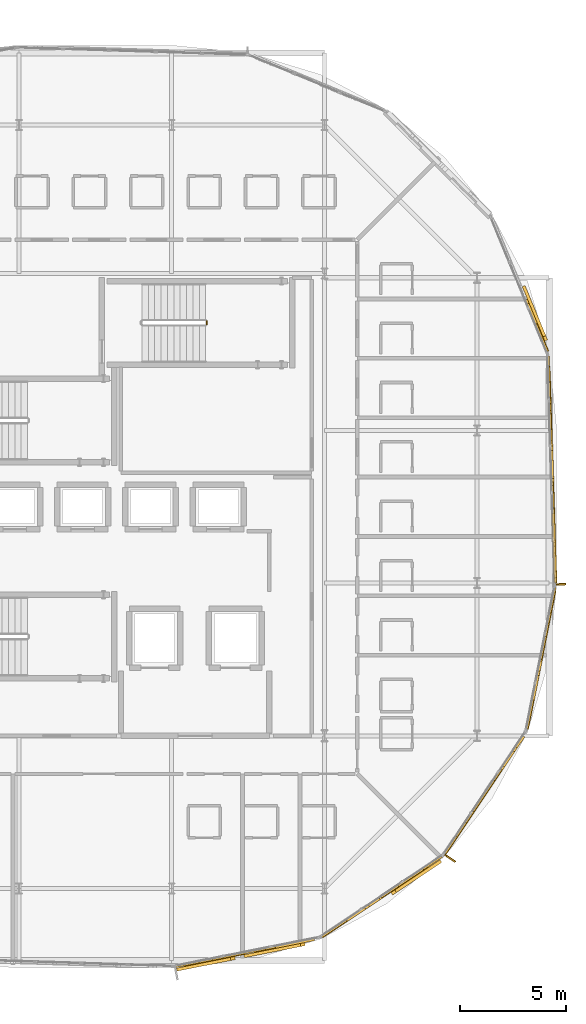
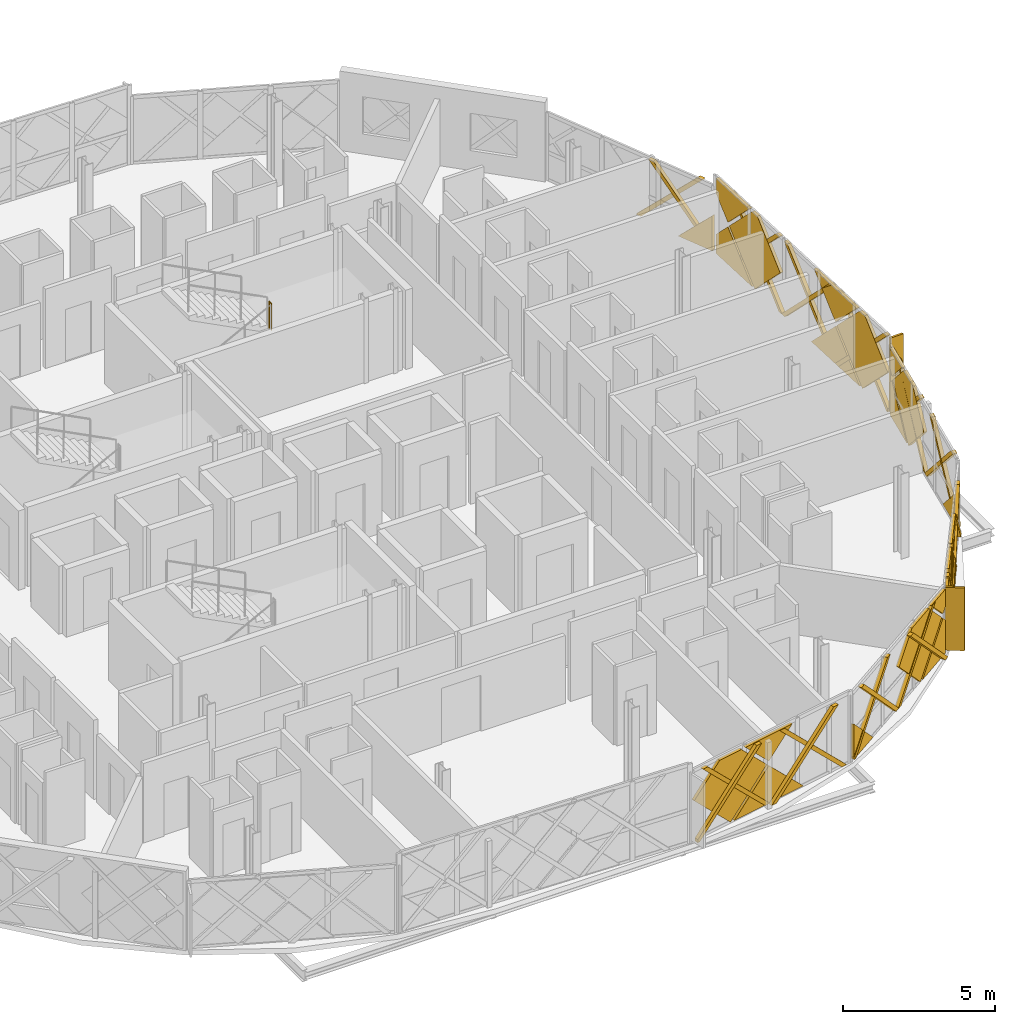
# One storey, part 24 of 26: 45 coverings, 2 shading devices, 1 railing.
"""IFC4 building model written with IfcOpenShell, lengths in metres."""

from ifc_helpers import new_model, si_unit, direction, frame, origin, origin_2d, place, context, subcontext, project, spatial, polyline, rectangle, circle, outline, extrude, material, layer, layer_set, type_object, element, save


model = new_model("IFC4")

# Units and contexts
model_context = context("Model", 3, precision=1e-05, world=origin(), true_north=direction((0.0, 1.0)))
body_context = subcontext(model_context, "Body", "Model", "MODEL_VIEW")
ifc_project = project(units=[si_unit("LENGTHUNIT", "METRE"), si_unit("AREAUNIT", "SQUARE_METRE"), si_unit("VOLUMEUNIT", "CUBIC_METRE"), si_unit("PLANEANGLEUNIT", "RADIAN"), si_unit("MASSUNIT", "GRAM", prefix="KILO")], contexts=[model_context])

# Site, building, storey
site_placement = place(None, origin())
site = spatial("IfcSite", under=ifc_project, at=site_placement, CompositionType="ELEMENT")
building_placement = place(site_placement, origin())
building = spatial("IfcBuilding", under=site, at=building_placement, Name="Zevrakil Square Congress Hotel", CompositionType="ELEMENT")
storey_placement = place(building_placement, frame((0.0, 0.0, 24.89990234375)))
storey = spatial("IfcBuildingStorey", under=building, at=storey_placement, Name="L07", CompositionType="ELEMENT", Elevation=24.89990234375)

# Coverings
ifc_material_1 = material(Name="Architectural White Fibre-C GRC", Category="concrete")
ifc_layer_1 = layer(ifc_material_1, 0.06494140625)
ifc_layer_set_1 = layer_set([ifc_layer_1], Name="Architectural White Fibre-C GRC")
covering_type_1 = type_object("IfcCoveringType", Name="COV-DIA-WHITE", PredefinedType="CLADDING", material=ifc_layer_set_1)
covering_1_placement = place(storey_placement, frame((152.21875, 6.503173828125, 1.590087890625), z_axis=(0.195074358725, -0.980788280172, 0.000586553491), x_axis=(0.693609627274, 0.137532945708, -0.707099974401)))
element("IfcCovering", 1, at=covering_1_placement, inside=storey, type_object=covering_type_1, Name="L07 45-degree white GRC diamond facade cassette 2628", PredefinedType="CLADDING", context=body_context, shape_type="SweptSolid", body=[
    extrude(outline(polyline([(0.0, 0.0), (2.135496846686384, 0.0), (6.252147105900718e-05, -2.1353939480228528), (0.0, 0.0)])), origin(), (0.0, 0.0, -1.0), 0.1201171875),
])
covering_2_placement = place(storey_placement, frame((152.130615234375, 6.485595703125, 1.68017578125), z_axis=(0.195073639184, -0.980788409663, 0.000608906099), x_axis=(-0.69342866757, -0.138358304273, -0.707116442059)))
element("IfcCovering", 2, at=covering_2_placement, inside=storey, type_object=covering_type_1, Name="L07 45-degree white GRC diamond facade cassette 2629", PredefinedType="CLADDING", context=body_context, shape_type="SweptSolid", body=[
    extrude(outline(polyline([(0.0, 0.0), (2.2486930582388895, -2.220446049250313e-16), (2.248600449306225, -2.2345065721660267), (2.2344443095970368, -2.248662319811673), (0.6718391091520807, -2.24871423814256), (5.325690210389311e-06, -1.5768618099349676), (0.0, 0.0)])), origin(), (0.0, 0.0, -1.0), 0.1201171875),
])
covering_3_placement = place(storey_placement, frame((152.21875, 6.50341796875, 1.77001953125), z_axis=(0.19506254921, -0.980790693095, 0.000467154414), x_axis=(-0.693527327031, -0.13759393545, 0.707168831036)))
element("IfcCovering", 3, at=covering_3_placement, inside=storey, type_object=covering_type_1, Name="L07 45-degree white GRC diamond facade cassette 2630", PredefinedType="CLADDING", context=body_context, shape_type="SweptSolid", body=[
    extrude(outline(polyline([(0.0, 0.0), (1.4496488524159823, 0.0), (0.00012006049772261829, -1.4497835391978415), (0.0, 0.0)])), origin(), (0.0, 0.0, -1.0), 0.1201171875),
])
covering_4_placement = place(storey_placement, frame((157.08447265625, 8.066650390625, 0.080078125), z_axis=(0.555618744269, -0.831436961663, 0.000624337381), x_axis=(-0.831437123709, -0.555618852558, 0.0)))
element("IfcCovering", 4, at=covering_4_placement, inside=storey, type_object=covering_type_1, Name="L07 45-degree white GRC diamond facade cassette 2635", PredefinedType="CLADDING", context=body_context, shape_type="SweptSolid", body=[
    extrude(outline(polyline([(0.0, 0.0), (1.4100444252712594, -5.421010862427522e-20), (1.4100434530275447, -1.409912384164952), (0.0, 0.0)])), origin(), (0.0, 0.0, -1.0), 0.1201171875),
])
covering_5_placement = place(storey_placement, frame((161.415771484375, 10.9619140625, 1.590087890625), z_axis=(0.555646371289, -0.83141852504, 0.000588466492), x_axis=(0.588259047676, 0.392639778992, -0.706954946782)))
element("IfcCovering", 5, at=covering_5_placement, inside=storey, type_object=covering_type_1, Name="L07 45-degree white GRC diamond facade cassette 2636", PredefinedType="CLADDING", context=body_context, shape_type="SweptSolid", body=[
    extrude(outline(polyline([(0.0, 0.0), (0.26280452104348384, 2.7755575615628914e-17), (1.1989671748778223, -0.9365658268783337), (-0.0003474997953980541, -2.135365949549591), (0.0, 0.0)])), origin(), (0.0, 0.0, -1.0), 0.1201171875),
])
covering_6_placement = place(storey_placement, frame((161.3408203125, 10.912109375, 1.68017578125), z_axis=(0.555628088381, -0.831430734584, 0.000600826148), x_axis=(-0.587675241863, -0.393242281232, -0.707105592082)))
element("IfcCovering", 6, at=covering_6_placement, inside=storey, type_object=covering_type_1, Name="L07 45-degree white GRC diamond facade cassette 2637", PredefinedType="CLADDING", context=body_context, shape_type="SweptSolid", body=[
    extrude(outline(polyline([(0.0, 0.0), (2.2487276240362695, 0.0), (2.248493550636666, -2.2484867652081695), (0.8840518200869774, -2.2485425346305203), (-4.691132910683571e-06, -1.3644885855147386), (0.0, 0.0)])), origin(), (0.0, 0.0, -1.0), 0.1201171875),
])
covering_7_placement = place(storey_placement, frame((161.415771484375, 10.962158203125, 1.77001953125), z_axis=(0.555534432321, -0.831493343138, 0.000561091154), x_axis=(-0.588191114923, -0.392503054106, 0.707087381334)))
element("IfcCovering", 7, at=covering_7_placement, inside=storey, type_object=covering_type_1, Name="L07 45-degree white GRC diamond facade cassette 2638", PredefinedType="CLADDING", context=body_context, shape_type="SweptSolid", body=[
    extrude(outline(polyline([(0.0, 0.0), (1.2374706948146539, 1.1102230246251565e-16), (0.4874588101183784, -0.7499710914598838), (0.0001758846999646846, -0.26256505050299517), (0.0, 0.0)])), origin(), (0.0, 0.0, -1.0), 0.1201171875),
])
covering_8_placement = place(storey_placement, frame((163.5458984375, 13.9404296875, 1.590087890625), z_axis=(0.831477485347, -0.555557927011, 0.000762296647), x_axis=(0.393284336532, 0.587639967958, -0.707111517864)))
element("IfcCovering", 8, at=covering_8_placement, inside=storey, type_object=covering_type_1, Name="L07 45-degree white GRC diamond facade cassette 2643", PredefinedType="CLADDING", context=body_context, shape_type="SweptSolid", body=[
    extrude(outline(polyline([(0.0, 0.0), (2.13546198509944, -2.220446049250313e-16), (7.94091468585556e-05, -2.135412425599662), (0.0, 0.0)])), origin(), (0.0, 0.0, -1.0), 0.1201171875),
])
covering_9_placement = place(storey_placement, frame((163.49609375, 13.865478515625, 1.68017578125), z_axis=(0.83145223138, -0.555595965269, 0.000557055765), x_axis=(-0.392538591201, -0.588144992887, -0.707106018755)))
element("IfcCovering", 9, at=covering_9_placement, inside=storey, type_object=covering_type_1, Name="L07 45-degree white GRC diamond facade cassette 2644", PredefinedType="CLADDING", context=body_context, shape_type="SweptSolid", body=[
    extrude(outline(polyline([(0.0, 0.0), (2.248726189551897, -2.220446049250313e-16), (2.248627462621757, -2.234467357612551), (2.2344715315822192, -2.248623314786356), (0.8840035804827544, -2.2484961150309624), (9.109838170728857e-05, -1.3645852052391207), (0.0, 0.0)])), origin(), (0.0, 0.0, -1.0), 0.1201171875),
])
covering_10_placement = place(storey_placement, frame((163.5458984375, 13.9404296875, 1.77001953125), z_axis=(0.83149166577, -0.555536881392, 0.000619006756), x_axis=(-0.393198795927, -0.587726649808, 0.707087046966)))
element("IfcCovering", 10, at=covering_10_placement, inside=storey, type_object=covering_type_1, Name="L07 45-degree white GRC diamond facade cassette 2645", PredefinedType="CLADDING", context=body_context, shape_type="SweptSolid", body=[
    extrude(outline(polyline([(0.0, 0.0), (1.23747140292639, 1.1102230246251565e-16), (2.7936559897856483e-05, -1.2373748732150238), (0.0, 0.0)])), origin(), (0.0, 0.0, -1.0), 0.1201171875),
])
covering_11_placement = place(storey_placement, frame((165.881103515625, 18.486328125, 0.080078125), z_axis=(0.980773112904, -0.195150299831, 0.000679323368), x_axis=(-0.19515034486, -0.980773339208, 0.0)))
element("IfcCovering", 11, at=covering_11_placement, inside=storey, type_object=covering_type_1, Name="L07 45-degree white GRC diamond facade cassette 2650", PredefinedType="CLADDING", context=body_context, shape_type="SweptSolid", body=[
    extrude(outline(polyline([(0.0, 0.0), (1.409920564436228, 5.421010862427522e-20), (1.4101111409448805, -1.4099124346984009), (0.0, 0.0)])), origin(), (0.0, 0.0, -1.0), 0.1201171875),
])
covering_12_placement = place(storey_placement, frame((166.896484375, 23.596435546875, 1.590087890625), z_axis=(0.980781294411, -0.195109431734, 0.000601815701), x_axis=(0.138356558336, 0.693312983016, -0.70723021029)))
element("IfcCovering", 12, at=covering_12_placement, inside=storey, type_object=covering_type_1, Name="L07 45-degree white GRC diamond facade cassette 2651", PredefinedType="CLADDING", context=body_context, shape_type="SweptSolid", body=[
    extrude(outline(polyline([(0.0, 0.0), (0.26270234437321993, 2.7755575615628914e-17), (1.199161918910315, -0.9362688493149549), (0.00035303784299656193, -2.1354968172801163), (0.0, 0.0)])), origin(), (0.0, 0.0, -1.0), 0.1201171875),
])
covering_13_placement = place(storey_placement, frame((166.87890625, 23.50830078125, 1.68017578125), z_axis=(0.980787819449, -0.19507661431, 0.000606440459), x_axis=(-0.137523856821, -0.693627621809, -0.707084090521)))
element("IfcCovering", 13, at=covering_13_placement, inside=storey, type_object=covering_type_1, Name="L07 45-degree white GRC diamond facade cassette 2652", PredefinedType="CLADDING", context=body_context, shape_type="SweptSolid", body=[
    extrude(outline(polyline([(0.0, 0.0), (2.248795967748211, 0.0), (2.248667233592694, -2.248523766804068), (0.6719747667100241, -2.248716208529622), (0.00011020621853274903, -1.576894558099703), (0.0, 0.0)])), origin(), (0.0, 0.0, -1.0), 0.1201171875),
])
covering_14_placement = place(storey_placement, frame((166.896484375, 23.596435546875, 1.77001953125), z_axis=(0.980793449686, -0.19504748154, 0.000830059182), x_axis=(-0.138482941008, -0.693349988855, 0.707169193336)))
element("IfcCovering", 14, at=covering_14_placement, inside=storey, type_object=covering_type_1, Name="L07 45-degree white GRC diamond facade cassette 2653", PredefinedType="CLADDING", context=body_context, shape_type="SweptSolid", body=[
    extrude(outline(polyline([(0.0, 0.0), (1.4496480284291051, 0.0), (0.5936013121823351, -0.8561985239911978), (0.00010282938814651366, -0.2626686215505675), (0.0, 0.0)])), origin(), (0.0, 0.0, -1.0), 0.1201171875),
])
covering_15_placement = place(storey_placement, frame((166.847900390625, 27.25634765625, 1.590087890625), z_axis=(0.999500173978, 0.031608263347, 0.000565602362), x_axis=(-0.021950640625, 0.706764897631, -0.70710787639)))
element("IfcCovering", 15, at=covering_15_placement, inside=storey, type_object=covering_type_1, Name="L07 45-degree white GRC diamond facade cassette 2658", PredefinedType="CLADDING", context=body_context, shape_type="SweptSolid", body=[
    extrude(outline(polyline([(0.0, 0.0), (2.135472982330829, 0.0), (-3.0898232996845465e-05, -2.1355111789037706), (0.0, 0.0)])), origin(), (0.0, 0.0, -1.0), 0.1201171875),
])
covering_16_placement = place(storey_placement, frame((166.635498046875, 33.972900390625, 1.590087890625), z_axis=(0.999499890788, 0.031616847501, 0.00058589168), x_axis=(-0.021940379743, 0.706703348733, -0.707169708504)))
element("IfcCovering", 16, at=covering_16_placement, inside=storey, type_object=covering_type_1, Name="L07 45-degree white GRC diamond facade cassette 2659", PredefinedType="CLADDING", context=body_context, shape_type="SweptSolid", body=[
    extrude(outline(polyline([(0.0, 0.0), (1.0439944126182823, 0.0), (1.5898992639783331, -0.5454842721949064), (0.00015586173328729913, -2.1355111729942435), (0.0, 0.0)])), origin(), (0.0, 0.0, -1.0), 0.1201171875),
])
covering_17_placement = place(storey_placement, frame((166.8505859375, 27.166259765625, 1.68017578125), z_axis=(0.999501597904, 0.031562552387, 0.000600894811), x_axis=(0.022741748057, -0.706707633354, -0.707140109069)))
element("IfcCovering", 17, at=covering_17_placement, inside=storey, type_object=covering_type_1, Name="L07 45-degree white GRC diamond facade cassette 2660", PredefinedType="CLADDING", context=body_context, shape_type="SweptSolid", body=[
    extrude(outline(polyline([(0.0, 0.0), (2.2486179890042277, 2.220446049250313e-16), (2.2485274723744353, -2.234583607670258), (2.2343708588627984, -2.24873888162168), (0.2261243350459785, -2.248470444792827), (-0.00012552124413511834, -2.0221991015100835), (0.0, 0.0)])), origin(), (0.0, 0.0, -1.0), 0.1201171875),
])
covering_18_placement = place(storey_placement, frame((166.63818359375, 33.883056640625, 1.68017578125), z_axis=(0.999499956452, 0.031614397773, 0.000605727031), x_axis=(0.022783504521, -0.706760601281, -0.707085825341)))
element("IfcCovering", 18, at=covering_18_placement, inside=storey, type_object=covering_type_1, Name="L07 45-degree white GRC diamond facade cassette 2661", PredefinedType="CLADDING", context=body_context, shape_type="SweptSolid", body=[
    extrude(outline(polyline([(0.0, 0.0), (2.2487905348478874, 0.0), (2.2487068046733287, -2.248574306920429), (0.22646942154888006, -2.2486256328772924), (0.00020220686048455505, -2.0223716548646236), (0.0, 0.0)])), origin(), (0.0, 0.0, -1.0), 0.1201171875),
])
covering_19_placement = place(storey_placement, frame((166.84765625, 27.25634765625, 1.77001953125), z_axis=(0.999500170696, 0.031610149401, 0.000455228717), x_axis=(0.022029323364, -0.706741917966, 0.707128397324)))
element("IfcCovering", 19, at=covering_19_placement, inside=storey, type_object=covering_type_1, Name="L07 45-degree white GRC diamond facade cassette 2662", PredefinedType="CLADDING", context=body_context, shape_type="SweptSolid", body=[
    extrude(outline(polyline([(0.0, 0.0), (1.8951125364178696, 1.1102230246251565e-16), (8.897705905552833e-05, -1.895139818543724), (0.0, 0.0)])), origin(), (0.0, 0.0, -1.0), 0.1201171875),
])
covering_20_placement = place(storey_placement, frame((166.635498046875, 33.972900390625, 1.77001953125), z_axis=(0.999497058898, 0.031702668921, 0.000755008273), x_axis=(0.021882802767, -0.706744481126, 0.707130384965)))
element("IfcCovering", 20, at=covering_20_placement, inside=storey, type_object=covering_type_1, Name="L07 45-degree white GRC diamond facade cassette 2663", PredefinedType="CLADDING", context=body_context, shape_type="SweptSolid", body=[
    extrude(outline(polyline([(0.0, 0.0), (1.8951071735843485, 0.0), (0.42565150899212045, -1.469554646373242), (0.00010643249484054706, -1.044016330995642), (0.0, 0.0)])), origin(), (0.0, 0.0, -1.0), 0.1201171875),
])
covering_21_placement = place(storey_placement, frame((166.02490234375, 36.2392578125, 0.080078125), z_axis=(0.923894304185, 0.382647378607, 0.000546204379), x_axis=(0.382647435687, -0.923894442002, 0.0)))
element("IfcCovering", 21, at=covering_21_placement, inside=storey, type_object=covering_type_1, Name="L07 45-degree white GRC diamond facade cassette 2670", PredefinedType="CLADDING", context=body_context, shape_type="SweptSolid", body=[
    extrude(outline(polyline([(0.0, 0.0), (1.4100467713356626, -5.421010862427522e-20), (1.4099920721498573, -1.4099123196910894), (0.0, 0.0)])), origin(), (0.0, 0.0, -1.0), 0.1201171875),
])
ifc_material_2 = material(Name="Anodised Champagne Aluminium", Category="aluminium")
ifc_layer_2 = layer(ifc_material_2, 0.0849609375)
ifc_layer_set_2 = layer_set([ifc_layer_2], Name="Anodised Champagne Aluminium")
covering_type_2 = type_object("IfcCoveringType", Name="COV-DIAGRID-45", PredefinedType="MOLDING", material=ifc_layer_set_2)
covering_22_placement = place(storey_placement, frame((149.11083984375, 5.858642578125, 0.080078125), z_axis=(-0.195766459773, 0.980650541755, 9.0466111e-05), x_axis=(-0.980650545767, -0.195766460577, 3.2259e-08)))
element("IfcCovering", 22, at=covering_22_placement, inside=storey, type_object=covering_type_2, Name="L07 45-degree aluminium diagrid rib 2631", PredefinedType="MOLDING", context=body_context, shape_type="SweptSolid", body=[
    extrude(outline(polyline([(0.0, 0.0), (0.08589656349351434, -4.235164736271502e-22), (0.08589656756527053, 0.1262207026084974), (-2.502970641676394, 2.7150879834709407), (-2.715078689355005, 2.715087992133961), (0.0, 0.0)])), origin(), (0.0, 0.0, -1.0), 0.14501953125),
])
covering_23_placement = place(storey_placement, frame((152.40625, 6.51416015625, 0.080078125), z_axis=(-0.195673415113, 0.980669115741, 7.037979e-06), x_axis=(-0.980669115765, -0.195673415118, 0.0)))
element("IfcCovering", 23, at=covering_23_placement, inside=storey, type_object=covering_type_2, Name="L07 45-degree aluminium diagrid rib 2632", PredefinedType="MOLDING", context=body_context, shape_type="SweptSolid", body=[
    extrude(outline(polyline([(0.0, 0.0), (0.21210804863334146, -5.293955920339377e-23), (-2.5029707423417658, 2.7150878906922435), (-2.715078790975107, 2.7150878906922435), (0.0, 0.0)])), origin(), (0.0, 0.0, -1.0), 0.14501953125),
])
for number, where, z_axis, x_axis, name in (
    (24, (149.378173828125, 5.91357421875, 2.795166015625), (0.195119800947, -0.98077917644, 0.000685814178), (0.980779407142, 0.195119846573, -3.87194e-07), "L07 45-degree aluminium diagrid rib 2633"),
    (25, (152.673583984375, 6.569091796875, 2.795166015625), (0.195119800947, -0.98077917644, 0.000685814178), (0.980779407142, 0.195119846573, -3.87194e-07), "L07 45-degree aluminium diagrid rib 2634"),
):
    element("IfcCovering", number, at=place(storey_placement, frame(where, z_axis=z_axis, x_axis=x_axis)), inside=storey, type_object=covering_type_2, Name=name, PredefinedType="MOLDING", context=body_context, shape_type="SweptSolid", body=[
        extrude(outline(polyline([(0.0, 0.0), (0.21206037816297504, 0.0), (2.9272388661088926, -2.7150873957255706), (2.7151308512646257, -2.7150875599609154), (0.0, 0.0)])), origin(), (0.0, 0.0, -1.0), 0.14501953125),
    ])
covering_24_placement = place(storey_placement, frame((155.997314453125, 7.310302734375, 0.080078125), z_axis=(0.555380234482, -0.831596100883, 0.00084861241), x_axis=(-0.831596400015, -0.555380434911, -6.41377e-07)))
element("IfcCovering", 26, at=covering_24_placement, inside=storey, type_object=covering_type_2, Name="L07 45-degree aluminium diagrid rib 2639", PredefinedType="MOLDING", context=body_context, shape_type="SweptSolid", body=[
    extrude(outline(polyline([(0.0, 0.0), (0.08606257579270189, 0.0), (0.0859269039111433, -0.12622082988029934), (-2.353010994518934, -2.564940788304665), (-2.565289546099195, -2.56494067722439), (0.0, 0.0)])), origin(), (0.0, 0.0, -1.0), 0.14501953125),
])
covering_25_placement = place(storey_placement, frame((158.791259765625, 9.177001953125, 0.080078125), z_axis=(0.555496002273, -0.831518860545, 0.000758957769), x_axis=(-0.83151910003, -0.55549616226, 0.0)))
element("IfcCovering", 27, at=covering_25_placement, inside=storey, type_object=covering_type_2, Name="L07 45-degree aluminium diagrid rib 2640", PredefinedType="MOLDING", context=body_context, shape_type="SweptSolid", body=[
    extrude(outline(polyline([(0.0, 0.0), (0.21227855363602155, 0.0), (-2.3528066166632033, -2.564942144975111), (-2.565085170299225, -2.564942144975111), (0.0, 0.0)])), origin(), (0.0, 0.0, -1.0), 0.14501953125),
])
covering_26_placement = place(storey_placement, frame((156.34814453125, 7.546630859375, 2.64501953125), z_axis=(0.555098369349, -0.831784706817, 4.3035593e-05), x_axis=(0.831784707588, 0.555098369862, -2.0598e-08)))
element("IfcCovering", 28, at=covering_26_placement, inside=storey, type_object=covering_type_2, Name="L07 45-degree aluminium diagrid rib 2641", PredefinedType="MOLDING", context=body_context, shape_type="SweptSolid", body=[
    extrude(outline(polyline([(0.0, 0.0), (0.21214300728986854, 0.0), (2.7771577702398464, -2.5649413514219783), (2.564879240887023, -2.5649413601641124), (0.0, 0.0)])), origin(), (0.0, 0.0, -1.0), 0.14501953125),
])
covering_27_placement = place(storey_placement, frame((159.141845703125, 9.413330078125, 2.64501953125), z_axis=(-0.554700133599, 0.832050200399, 0.000475185723), x_axis=(0.832050294338, 0.554700196225, 0.0)))
element("IfcCovering", 29, at=covering_27_placement, inside=storey, type_object=covering_type_2, Name="L07 45-degree aluminium diagrid rib 2642", PredefinedType="MOLDING", context=body_context, shape_type="SweptSolid", body=[
    extrude(outline(polyline([(0.0, 0.0), (0.21214303158857944, 0.0), (2.7771574521461853, 2.5649416958338205), (2.5650144205576058, 2.5649416958338205), (0.0, 0.0)])), origin(), (0.0, 0.0, -1.0), 0.14501953125),
])
covering_28_placement = place(storey_placement, frame((161.80419921875, 11.287109375, 0.080078125), z_axis=(0.831534685461, -0.555472641408, 0.000459915756), x_axis=(-0.555472699992, -0.831534773514, -4.27134e-07)))
element("IfcCovering", 30, at=covering_28_placement, inside=storey, type_object=covering_type_2, Name="L07 45-degree aluminium diagrid rib 2646", PredefinedType="MOLDING", context=body_context, shape_type="SweptSolid", body=[
    extrude(outline(polyline([(0.0, 0.0), (0.08626559389932249, 0.0), (0.08626553998618447, -0.12622068977572828), (-2.3527369883339895, -2.564940667847962), (-2.5648125304661753, -2.564940512137836), (0.0, 0.0)])), origin(), (0.0, 0.0, -1.0), 0.14501953125),
])
covering_29_placement = place(storey_placement, frame((163.6708984375, 14.080810546875, 0.080078125), z_axis=(0.831519003527, -0.555496097792, 0.000481778987), x_axis=(-0.55549616226, -0.83151910003, 0.0)))
element("IfcCovering", 31, at=covering_29_placement, inside=storey, type_object=covering_type_2, Name="L07 45-degree aluminium diagrid rib 2647", PredefinedType="MOLDING", context=body_context, shape_type="SweptSolid", body=[
    extrude(outline(polyline([(0.0, 0.0), (0.21227855363602155, -6.776263578034403e-21), (-2.3527358588300347, -2.564941703925599), (-2.5650144124660565, -2.564941703925599), (0.0, 0.0)])), origin(), (0.0, 0.0, -1.0), 0.14501953125),
])
for number, where, z_axis, x_axis, name in (
    (32, (162.037841796875, 11.639404296875, 2.64501953125), (0.831518907889, -0.555496033901, 0.000679810762), (0.55549616226, 0.83151910003, 0.0), "L07 45-degree aluminium diagrid rib 2648"),
    (33, (163.904541015625, 14.43310546875, 2.64501953125), (0.831518907889, -0.555496033901, 0.000679810762), (0.55549616226, 0.83151910003, 0.0), "L07 45-degree aluminium diagrid rib 2649"),
):
    element("IfcCovering", number, at=place(storey_placement, frame(where, z_axis=z_axis, x_axis=x_axis)), inside=storey, type_object=covering_type_2, Name=name, PredefinedType="MOLDING", context=body_context, shape_type="SweptSolid", body=[
        extrude(outline(polyline([(0.0, 0.0), (0.21227855363602155, 1.3552527156068805e-20), (2.7772281047550074, -2.564941998934643), (2.5649495511189855, -2.564941998934643), (0.0, 0.0)])), origin(), (0.0, 0.0, -1.0), 0.14501953125),
    ])
covering_30_placement = place(storey_placement, frame((165.647216796875, 17.18310546875, 0.080078125), z_axis=(0.980748414561, -0.195273738604, 0.000845191019), x_axis=(-0.195273806614, -0.980748765202, -2.094467e-06)))
element("IfcCovering", 34, at=covering_30_placement, inside=storey, type_object=covering_type_2, Name="L07 45-degree aluminium diagrid rib 2654", PredefinedType="MOLDING", context=body_context, shape_type="SweptSolid", body=[
    extrude(outline(polyline([(0.0, 0.0), (0.08608830361567213, 0.0), (0.08613571351982023, -0.12622086051488143), (-2.502835344731495, -2.7150835443611414), (-2.7149433757561168, -2.71508302706041), (0.0, 0.0)])), origin(), (0.0, 0.0, -1.0), 0.14501953125),
])
covering_31_placement = place(storey_placement, frame((166.302734375, 20.478515625, 0.080078125), z_axis=(0.980668423047, -0.195673276899, 0.001188589638), x_axis=(-0.195673415118, -0.980669115765, 0.0)))
element("IfcCovering", 35, at=covering_31_placement, inside=storey, type_object=covering_type_2, Name="L07 45-degree aluminium diagrid rib 2655", PredefinedType="MOLDING", context=body_context, shape_type="SweptSolid", body=[
    extrude(outline(polyline([(0.0, 0.0), (0.21210804863334146, 0.0), (-2.5028285508952335, -2.7150898084908976), (-2.7149365995285746, -2.7150898084908976), (0.0, 0.0)])), origin(), (0.0, 0.0, -1.0), 0.14501953125),
])
for number, where, z_axis, x_axis, name in (
    (36, (165.698974609375, 17.450927734375, 2.795166015625), (0.980779277877, -0.195119821127, 0.000513312635), (0.195119846687, 0.980779407119, 2.89804e-07), "L07 45-degree aluminium diagrid rib 2656"),
    (37, (166.3544921875, 20.746337890625, 2.795166015625), (0.980779277877, -0.195119821127, 0.000513312635), (0.195119846687, 0.980779407119, 2.89804e-07), "L07 45-degree aluminium diagrid rib 2657"),
):
    element("IfcCovering", number, at=place(storey_placement, frame(where, z_axis=z_axis, x_axis=x_axis)), inside=storey, type_object=covering_type_2, Name=name, PredefinedType="MOLDING", context=body_context, shape_type="SweptSolid", body=[
        extrude(outline(polyline([(0.0, 0.0), (0.21206037816296808, 3.3881317890172014e-21), (2.9271379605666166, -2.7150890966194496), (2.7150299457223284, -2.715088973693911), (0.0, 0.0)])), origin(), (0.0, 0.0, -1.0), 0.14501953125),
    ])
covering_32_placement = place(storey_placement, frame((166.97412109375, 24.084716796875, 0.080078125), z_axis=(0.999487708719, 0.03200436306, 0.000202150601), x_axis=(0.032004363682, -0.999487729142, 1.55655e-07)))
element("IfcCovering", 38, at=covering_32_placement, inside=storey, type_object=covering_type_2, Name="L07 45-degree aluminium diagrid rib 2664", PredefinedType="MOLDING", context=body_context, shape_type="SweptSolid", body=[
    extrude(outline(polyline([(0.0, 0.0), (0.08597942594200689, 1.0587911840678754e-22), (0.08597944558892287, -0.1262207005460024), (-2.8178696618246044, -3.030029802248836), (-3.0301379623147, -3.0300298438702713), (0.0, 0.0)])), origin(), (0.0, 0.0, -1.0), 0.14501953125),
])
covering_33_placement = place(storey_placement, frame((166.867919921875, 27.443115234375, 0.080078125), z_axis=(0.999498364444, 0.031666134818, 0.000524765153), x_axis=(0.03166613902, -0.99949850207, 3.01986e-07)))
element("IfcCovering", 39, at=covering_33_placement, inside=storey, type_object=covering_type_2, Name="L07 45-degree aluminium diagrid rib 2665", PredefinedType="MOLDING", context=body_context, shape_type="SweptSolid", body=[
    extrude(outline(polyline([(0.0, 0.0), (0.21201652479247962, 4.235164736271502e-22), (-2.817868841708352, -3.0300305650358874), (-3.029893097491803, -3.0300306930904646), (0.0, 0.0)])), origin(), (0.0, 0.0, -1.0), 0.14501953125),
])
covering_34_placement = place(storey_placement, frame((166.76171875, 30.801513671875, 0.080078125), z_axis=(0.999498932243, 0.031647922437, 0.000541710544), x_axis=(0.031647926907, -0.9994990789, 3.21239e-07)))
element("IfcCovering", 40, at=covering_34_placement, inside=storey, type_object=covering_type_2, Name="L07 45-degree aluminium diagrid rib 2666", PredefinedType="MOLDING", context=body_context, shape_type="SweptSolid", body=[
    extrude(outline(polyline([(0.0, 0.0), (0.21226054531024885, 0.0), (-2.817868753931179, -3.03003064666693), (-3.0298930074562738, -3.0300307829638764), (0.0, 0.0)])), origin(), (0.0, 0.0, -1.0), 0.14501953125),
])
covering_35_placement = place(storey_placement, frame((166.973388671875, 24.04248046875, 3.110107421875), z_axis=(0.999499443999, 0.03162972924, 0.000649363872), x_axis=(-0.031629735667, 0.999499654738, -3.7326e-07)))
element("IfcCovering", 41, at=covering_35_placement, inside=storey, type_object=covering_type_2, Name="L07 45-degree aluminium diagrid rib 2667", PredefinedType="MOLDING", context=body_context, shape_type="SweptSolid", body=[
    extrude(outline(polyline([(0.0, 0.0), (0.21226054756601098, -8.470329472543003e-22), (3.242283813627363, -3.0300287255017264), (3.0300155439579175, -3.0300288839613874), (0.0, 0.0)])), origin(), (0.0, 0.0, -1.0), 0.14501953125),
])
covering_36_placement = place(storey_placement, frame((166.867431640625, 27.40087890625, 3.110107421875), z_axis=(0.999479988218, 0.032222728463, 0.001203711424), x_axis=(-0.032222751834, 0.999480712302, 2.2331e-08)))
element("IfcCovering", 42, at=covering_36_placement, inside=storey, type_object=covering_type_2, Name="L07 45-degree aluminium diagrid rib 2668", PredefinedType="MOLDING", context=body_context, shape_type="SweptSolid", body=[
    extrude(outline(polyline([(0.0, 0.0), (0.21202429085198204, 1.6940658945086007e-21), (3.2422887437639307, -3.0300315644179787), (3.0300204390661722, -3.030031554943073), (0.0, 0.0)])), origin(), (0.0, 0.0, -1.0), 0.14501953125),
])
covering_37_placement = place(storey_placement, frame((166.76123046875, 30.75927734375, 3.110107421875), z_axis=(0.999498267032, 0.031666131732, 0.000685785228), x_axis=(-0.031666139449, 0.999498502056, 3.94634e-07)))
element("IfcCovering", 43, at=covering_37_placement, inside=storey, type_object=covering_type_2, Name="L07 45-degree aluminium diagrid rib 2669", PredefinedType="MOLDING", context=body_context, shape_type="SweptSolid", body=[
    extrude(outline(polyline([(0.0, 0.0), (0.2120242557834968, 0.0), (3.2420373948823284, -3.030031288807984), (3.030020870089908, -3.0300311214669655), (0.0, 0.0)])), origin(), (0.0, 0.0, -1.0), 0.14501953125),
])
covering_38_placement = place(storey_placement, frame((166.5546875, 35.025634765625, 0.080078125), z_axis=(0.923941164859, 0.382533804551, 0.000782467441), x_axis=(0.382533921697, -0.923941447685, -5.7739e-08)))
element("IfcCovering", 44, at=covering_38_placement, inside=storey, type_object=covering_type_2, Name="L07 45-degree aluminium diagrid rib 2674", PredefinedType="MOLDING", context=body_context, shape_type="SweptSolid", body=[
    extrude(outline(polyline([(0.0, 0.0), (0.08614428500355374, 0.0), (0.08605088564495159, -0.12622084098242034), (-2.3528036472667164, -2.5649420335683857), (-2.5650372357473143, -2.564942116402902), (0.0, 0.0)])), origin(), (0.0, 0.0, -1.0), 0.14501953125),
])
covering_39_placement = place(storey_placement, frame((166.391357421875, 35.415771484375, 2.64501953125), z_axis=(-0.924128950865, -0.382080711939, 0.000108336781), x_axis=(-0.382080714181, 0.924128956288, 0.0)))
element("IfcCovering", 45, at=covering_39_placement, inside=storey, type_object=covering_type_2, Name="L07 45-degree aluminium diagrid rib 2676", PredefinedType="MOLDING", context=body_context, shape_type="SweptSolid", body=[
    extrude(outline(polyline([(0.0, 0.0), (0.2121402219257289, 0.0), (2.7769590634994135, 2.5649414213021764), (2.564818841573685, 2.5649414213021764), (0.0, 0.0)])), origin(), (0.0, 0.0, -1.0), 0.14501953125),
])

# Railing
ifc_material_3 = material(Name="Steel S355", Category="steel")
railing_type = type_object("IfcRailingType", Name="RLG-STAIR-GUARD-1100", PredefinedType="BALUSTRADE", material=ifc_material_3)
railing_placement = place(storey_placement, frame((150.449951171875, 36.199951171875, 1.7001953125)))
element("IfcRailing", 46, at=railing_placement, inside=storey, type_object=railing_type, Name="L07 ST03 stair guard 2", PredefinedType="BALUSTRADE", context=body_context, shape_type="SweptSolid", body=[
    extrude(circle(Radius=0.02392578125, at=origin_2d()), frame((0.0, 0.0, 1.076171875), z_axis=(0.0, 1.0, 0.0), x_axis=(-1.0, 0.0, 0.0)), (0.0, 0.0, 1.0), 0.150146484375),
    extrude(circle(Radius=0.02099609375, at=origin_2d()), origin(), (0.0, 0.0, 1.0), 1.052001953125),
    extrude(circle(Radius=0.02099609375, at=origin_2d()), frame((0.0, 0.150146484375, 0.0)), (0.0, 0.0, 1.0), 1.052001953125),
])

# Shading devices
ifc_material_4 = material(Name="Aluminium Anodised Bronze", Category="aluminium")
shading_device_type_1 = type_object("IfcShadingDeviceType", Name="SHD-FIN-50", PredefinedType="JALOUSIE", material=ifc_material_4)
shading_device_1_placement = place(storey_placement, frame((167.128662109375, 23.943603515625, 0.10009765625), z_axis=(0.0, 0.0, 1.0), x_axis=(0.999500511513, 0.031602649982, 0.0)))
element("IfcShadingDevice", 47, at=shading_device_1_placement, inside=storey, type_object=shading_device_type_1, Name="L07 aluminium solar shading fin 148", PredefinedType="JALOUSIE", context=body_context, shape_type="SweptSolid", body=[
    extrude(rectangle(XDim=0.5, YDim=0.080078125, at=origin_2d()), origin(), (0.0, 0.0, 1.0), 2.989990234375),
])
ifc_material_5 = material(Name="Aluminium Anodised Bronze", Category="aluminium")
shading_device_type_2 = type_object("IfcShadingDeviceType", Name="SHD-FIN-65", PredefinedType="USERDEFINED", material=ifc_material_5)
shading_device_2_placement = place(storey_placement, frame((161.91015625, 11.04052734375, 0.10009765625), z_axis=(0.0, 0.0, 1.0), x_axis=(0.831469612303, -0.55557023302, 0.0)))
element("IfcShadingDevice", 48, at=shading_device_2_placement, inside=storey, type_object=shading_device_type_2, Name="L07 aluminium solar shading fin 147", ObjectType="SOLAR FIN", PredefinedType="USERDEFINED", context=body_context, shape_type="SweptSolid", body=[
    extrude(rectangle(XDim=0.64990234375, YDim=0.080078125, at=origin_2d()), origin(), (0.0, 0.0, 1.0), 2.52490234375),
])

save(model, "model.ifc")
